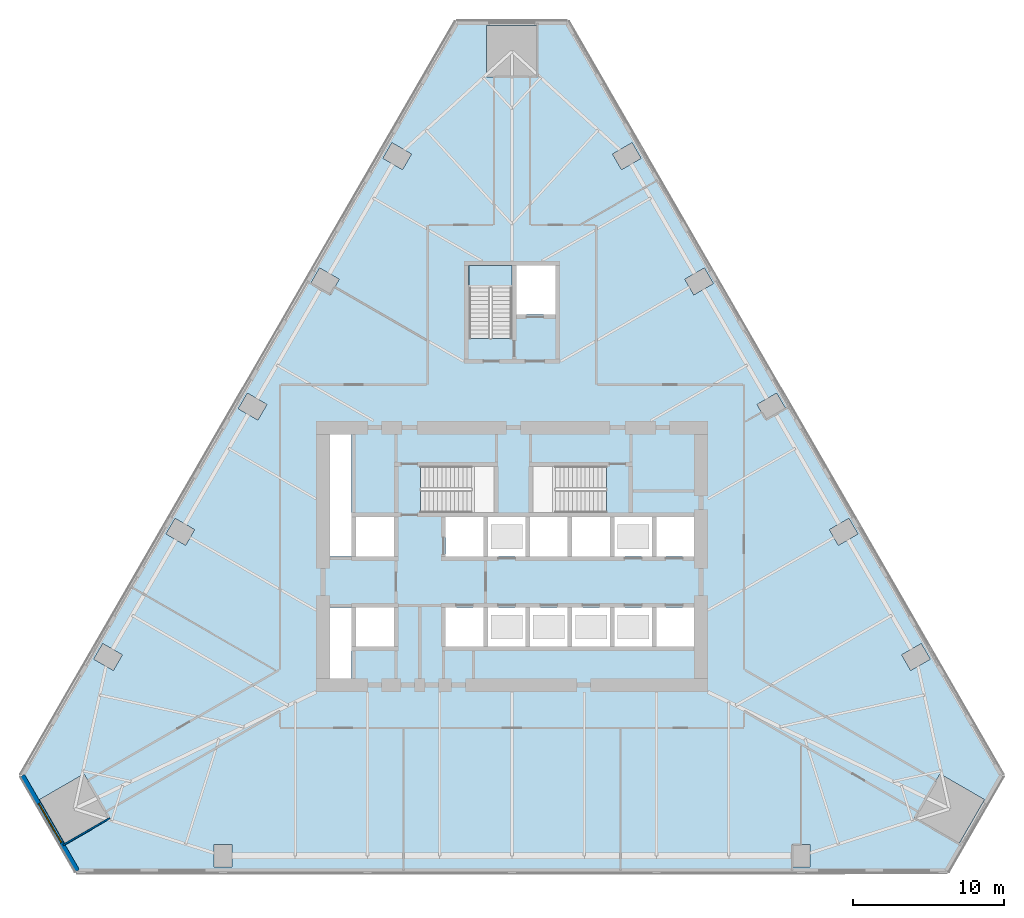
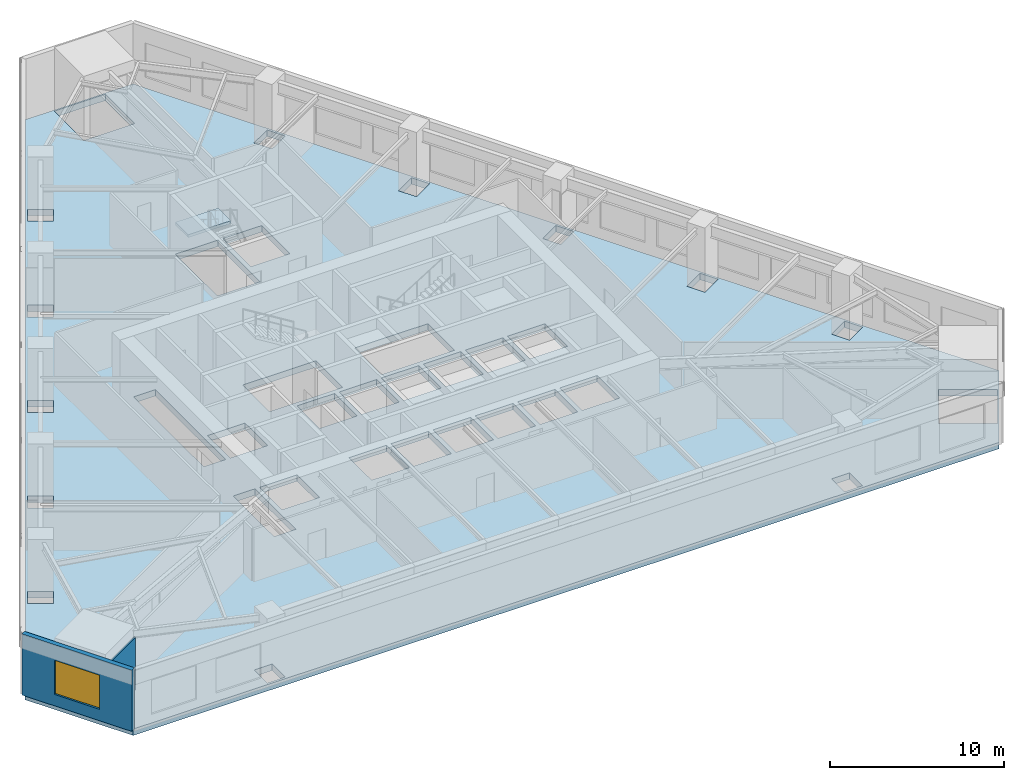
# One storey, part 2 of 14: 2 slabs, 2 walls, 1 window, 1 opening, 1 element without a shape of its own.
"""IFC4 building model written with IfcOpenShell, lengths in metres."""

from ifc_helpers import new_model, si_unit, direction, frame, frame_2d, origin, place, context, subcontext, project, spatial, polyline, rectangle, outline, extrude, material, layer, layer_set, type_object, element, fill, aggregate, save


model = new_model("IFC4")

# Units and contexts
model_context = context("Model", 3, precision=1e-05, world=origin(), true_north=direction((0.0, 1.0)))
body_context = subcontext(model_context, "Body", "Model", "MODEL_VIEW")
ifc_project = project(units=[si_unit("LENGTHUNIT", "METRE"), si_unit("AREAUNIT", "SQUARE_METRE"), si_unit("VOLUMEUNIT", "CUBIC_METRE"), si_unit("PLANEANGLEUNIT", "RADIAN"), si_unit("MASSUNIT", "GRAM", prefix="KILO")], contexts=[model_context])

# Site, building, storey
site_placement = place(None, origin())
site = spatial("IfcSite", under=ifc_project, at=site_placement, CompositionType="ELEMENT")
building_placement = place(site_placement, origin())
building = spatial("IfcBuilding", under=site, at=building_placement, Name="Firuza Gate Tower and Library", CompositionType="ELEMENT")
storey_placement = place(building_placement, frame((0.0, 0.0, 35.5)))
storey = spatial("IfcBuildingStorey", under=building, at=storey_placement, Name="L07", CompositionType="ELEMENT", Elevation=35.5)

# Slab
ifc_material_1 = material(Name="Concrete C40/50", Category="concrete")
ifc_layer_1 = layer(ifc_material_1, 0.449951171875)
ifc_layer_set_1 = layer_set([ifc_layer_1], Name="Composite floor slab 450 C40/50")
slab_type_1 = type_object("IfcSlabType", Name="Composite floor slab 450 C40/50", PredefinedType="FLOOR", material=ifc_layer_set_1)
slab_1_placement = place(storey_placement, frame((0.0, 0.0, -0.449951171875)))
element("IfcSlab", 1, at=slab_1_placement, inside=storey, type_object=slab_type_1, Name="Floor slab L07", PredefinedType="FLOOR", context=body_context, shape_type="SweptSolid", body=[
    extrude(outline(polyline([(42.60009765625, 60.45068359375), (46.199951171875, 54.21533203125), (103.800048828125, 54.21533203125), (107.39990234375, 60.45068359375), (78.60009765625, 110.333740234375), (71.39990234375, 110.333740234375), (42.60009765625, 60.45068359375)]), holes=[polyline([(55.199951171875, 54.365478515625), (55.199951171875, 55.865478515625), (56.39990234375, 55.865478515625), (56.39990234375, 54.365478515625), (55.199951171875, 54.365478515625)]), polyline([(43.63671875, 58.855224609375), (46.5810546875, 60.555419921875), (48.281005859375, 57.61083984375), (45.336669921875, 55.910888671875), (43.63671875, 58.855224609375)]), polyline([(47.829833984375, 69.209228515625), (49.12890625, 68.459228515625), (48.529052734375, 67.419921875), (47.22998046875, 68.169921875), (47.829833984375, 69.209228515625)]), polyline([(64.35009765625, 66.89990234375), (62.89990234375, 66.89990234375), (62.89990234375, 71.60009765625), (64.35009765625, 71.60009765625), (64.35009765625, 66.89990234375)]), polyline([(75.89990234375, 69.0), (73.39990234375, 69.0), (73.39990234375, 71.60009765625), (75.89990234375, 71.60009765625), (75.89990234375, 69.0)]), polyline([(73.10009765625, 69.0), (70.60009765625, 69.0), (70.60009765625, 71.60009765625), (73.10009765625, 71.60009765625), (73.10009765625, 69.0)]), polyline([(67.14990234375, 69.0), (64.64990234375, 69.0), (64.64990234375, 71.60009765625), (67.14990234375, 71.60009765625), (67.14990234375, 69.0)]), polyline([(67.14990234375, 75.0), (64.64990234375, 75.0), (64.64990234375, 77.60009765625), (67.14990234375, 77.60009765625), (67.14990234375, 75.0)]), polyline([(75.89990234375, 75.0), (73.39990234375, 75.0), (73.39990234375, 77.60009765625), (75.89990234375, 77.60009765625), (75.89990234375, 75.0)]), polyline([(73.10009765625, 75.0), (70.60009765625, 75.0), (70.60009765625, 77.60009765625), (73.10009765625, 77.60009765625), (73.10009765625, 75.0)]), polyline([(52.6298828125, 77.523193359375), (53.928955078125, 76.773193359375), (53.328857421875, 75.73388671875), (52.02978515625, 76.48388671875), (52.6298828125, 77.523193359375)]), polyline([(64.35009765625, 75.0), (62.89990234375, 75.0), (62.89990234375, 83.10009765625), (64.35009765625, 83.10009765625), (64.35009765625, 75.0)]), polyline([(73.81005859375, 77.89990234375), (68.9404296875, 77.89990234375), (68.9404296875, 80.97998046875), (73.81005859375, 80.97998046875), (73.81005859375, 77.89990234375)]), polyline([(57.429931640625, 85.8369140625), (58.72900390625, 85.0869140625), (58.12890625, 84.047607421875), (56.829833984375, 84.797607421875), (57.429931640625, 85.8369140625)]), polyline([(72.159912109375, 89.470458984375), (72.159912109375, 94.300048828125), (75.0, 94.300048828125), (75.0, 89.470458984375), (72.159912109375, 89.470458984375)]), polyline([(63.529052734375, 93.40087890625), (62.928955078125, 92.361572265625), (61.6298828125, 93.111572265625), (62.22998046875, 94.15087890625), (63.529052734375, 93.40087890625)]), polyline([(68.328857421875, 101.714599609375), (67.72900390625, 100.67529296875), (66.429931640625, 101.42529296875), (67.02978515625, 102.464599609375), (68.328857421875, 101.714599609375)]), polyline([(76.699951171875, 110.23388671875), (76.699951171875, 106.833740234375), (73.300048828125, 106.833740234375), (73.300048828125, 110.23388671875), (76.699951171875, 110.23388671875)]), polyline([(93.60009765625, 54.365478515625), (93.60009765625, 55.865478515625), (94.800048828125, 55.865478515625), (94.800048828125, 54.365478515625), (93.60009765625, 54.365478515625)]), polyline([(104.663330078125, 55.910888671875), (101.718994140625, 57.61083984375), (103.4189453125, 60.555419921875), (106.36328125, 58.855224609375), (104.663330078125, 55.910888671875)]), polyline([(102.77001953125, 68.169921875), (101.470947265625, 67.419921875), (100.87109375, 68.459228515625), (102.170166015625, 69.209228515625), (102.77001953125, 68.169921875)]), polyline([(78.699951171875, 69.0), (76.199951171875, 69.0), (76.199951171875, 71.60009765625), (78.699951171875, 71.60009765625), (78.699951171875, 69.0)]), polyline([(87.10009765625, 69.0), (84.60009765625, 69.0), (84.60009765625, 71.60009765625), (87.10009765625, 71.60009765625), (87.10009765625, 69.0)]), polyline([(84.300048828125, 69.0), (81.800048828125, 69.0), (81.800048828125, 71.60009765625), (84.300048828125, 71.60009765625), (84.300048828125, 69.0)]), polyline([(79.0, 69.0), (79.0, 71.60009765625), (81.5, 71.60009765625), (81.5, 69.0), (79.0, 69.0)]), polyline([(81.800048828125, 75.0), (81.800048828125, 77.60009765625), (84.300048828125, 77.60009765625), (84.300048828125, 75.0), (81.800048828125, 75.0)]), polyline([(81.5, 75.0), (79.0, 75.0), (79.0, 77.60009765625), (81.5, 77.60009765625), (81.5, 75.0)]), polyline([(87.10009765625, 75.0), (84.60009765625, 75.0), (84.60009765625, 77.60009765625), (87.10009765625, 77.60009765625), (87.10009765625, 75.0)]), polyline([(78.699951171875, 75.0), (76.199951171875, 75.0), (76.199951171875, 77.60009765625), (78.699951171875, 77.60009765625), (78.699951171875, 75.0)]), polyline([(97.97021484375, 76.48388671875), (96.671142578125, 75.73388671875), (96.071044921875, 76.773193359375), (97.3701171875, 77.523193359375), (97.97021484375, 76.48388671875)]), polyline([(81.259521484375, 77.89990234375), (76.389892578125, 77.89990234375), (76.389892578125, 80.97998046875), (81.259521484375, 80.97998046875), (81.259521484375, 77.89990234375)]), polyline([(93.170166015625, 84.797607421875), (91.87109375, 84.047607421875), (91.27099609375, 85.0869140625), (92.570068359375, 85.8369140625), (93.170166015625, 84.797607421875)]), polyline([(77.89990234375, 91.050048828125), (75.300048828125, 91.050048828125), (75.300048828125, 94.300048828125), (77.89990234375, 94.300048828125), (77.89990234375, 91.050048828125)]), polyline([(87.071044921875, 92.361572265625), (86.470947265625, 93.40087890625), (87.77001953125, 94.15087890625), (88.3701171875, 93.111572265625), (87.071044921875, 92.361572265625)]), polyline([(82.27099609375, 100.67529296875), (81.671142578125, 101.714599609375), (82.97021484375, 102.464599609375), (83.570068359375, 101.42529296875), (82.27099609375, 100.67529296875)])]), origin(), (0.0, 0.0, 1.0), 0.449951171875),
])

# Stair, slab
ifc_material_2 = material(Name="Concrete C35/45", Category="concrete")
stair_type = type_object("IfcStairType", Name="Exit stair ST10", PredefinedType="HALF_TURN_STAIR", material=ifc_material_2)
stair_placement = place(storey_placement, origin())
stair = element("IfcStair", 2, at=stair_placement, inside=storey, type_object=stair_type, Name="L07 Stair ST3", PredefinedType="HALF_TURN_STAIR")
ifc_material_3 = material(Name="Concrete C35/45", Category="concrete")
ifc_layer_2 = layer(ifc_material_3, 0.199951171875)
ifc_layer_set_2 = layer_set([ifc_layer_2], Name="Stair landing 200")
slab_type_2 = type_object("IfcSlabType", Name="Stair landing 200", PredefinedType="LANDING", material=ifc_layer_set_2)
slab_2_placement = place(storey_placement, frame((0.0, 0.0, 2.050048828125)))
slab_2 = element("IfcSlab", 3, at=slab_2_placement, type_object=slab_type_2, Name="ST3 landing 1", PredefinedType="LANDING", context=body_context, shape_type="SweptSolid", body=[
    extrude(outline(polyline([(75.0, 92.830078125), (75.0, 94.300048828125), (72.159912109375, 94.300048828125), (72.159912109375, 92.830078125), (75.0, 92.830078125)])), origin(), (0.0, 0.0, 1.0), 0.199951171875),
])
aggregate(stair, [slab_2])

# Wall
ifc_material_4 = material(Name="Gypsum board partition")
ifc_layer_3 = layer(ifc_material_4, 0.10009765625)
ifc_layer_set_3 = layer_set([ifc_layer_3], Name="Partition 100 gypsum board on steel studs")
wall_type_1 = type_object("IfcWallType", Name="Partition 100 gypsum board on steel studs", PredefinedType="PARTITIONING", material=ifc_layer_set_3)
wall_1_placement = place(storey_placement, frame((45.197998046875, 55.830810546875, 0.0), z_axis=(0.0, 0.0, 1.0), x_axis=(0.866014251095, 0.500019316528, 0.0)))
element("IfcWall", 4, at=wall_1_placement, inside=storey, type_object=wall_type_1, Name="f:L07:w007", PredefinedType="PARTITIONING", context=body_context, shape_type="SweptSolid", body=[
    extrude(rectangle(XDim=3.559326171875, YDim=0.10009765625, at=frame_2d((1.77978515625, 0.0))), origin(), (0.0, 0.0, 1.0), 3.699951171875),
])

# Wall, opening, window
ifc_material_5 = material(Name="Concrete C40/50", Category="concrete")
ifc_layer_4 = layer(ifc_material_5, 0.300048828125)
ifc_layer_set_4 = layer_set([ifc_layer_4], Name="Plant louvre wall 300")
wall_type_2 = type_object("IfcWallType", Name="Plant louvre wall 300", PredefinedType="SOLIDWALL", material=ifc_layer_set_4)
wall_2_placement = place(storey_placement, frame((42.49609375, 60.45068359375, 0.0), z_axis=(0.0, 0.0, 1.0), x_axis=(0.500000231294, -0.866025270247, 0.0)))
wall_2 = element("IfcWall", 5, at=wall_2_placement, inside=storey, type_object=wall_type_2, Name="Plant louvre wall 6", PredefinedType="SOLIDWALL", context=body_context, shape_type="SweptSolid", body=[
    extrude(rectangle(XDim=7.3037109375, YDim=0.300048828125, at=frame_2d((3.65185546875, 0.0))), origin(), (0.0, 0.0, 1.0), 4.300048828125),
])
opening_placement = place(wall_2_placement, frame((2.15185546875, 0.0, 0.800048828125)))
opening = element("IfcOpeningElement", 6, at=opening_placement, cuts=wall_2, Name="Opening WD3-037", PredefinedType="OPENING", context=body_context, shape_type="SweptSolid", body=[
    extrude(rectangle(XDim=3.0, YDim=2.39990234375, at=frame_2d((1.5, 1.199951171875))), frame((0.0, 0.16015625, 0.0), z_axis=(0.0, -1.0, 0.0), x_axis=(1.0, 0.0, 0.0)), (0.0, 0.0, 1.0), 0.320068359375),
])
ifc_material_6 = material(Name="Aluminium 6063-T6", Category="aluminium")
window_type = type_object("IfcWindowType", Name="Plant louvre 3000x2400", PartitioningType="SINGLE_PANEL", PredefinedType="WINDOW", material=ifc_material_6)
window_placement = place(opening_placement, origin())
window = element("IfcWindow", 7, at=window_placement, inside=storey, type_object=window_type, Name="e:pwall:L07:5/L0", OverallHeight=2.39990234375, OverallWidth=3.0, PartitioningType="SINGLE_PANEL", PredefinedType="WINDOW", context=body_context, shape_type="SweptSolid", body=[
    extrude(rectangle(XDim=3.0, YDim=2.39990234375, at=frame_2d((1.5, 1.199951171875))), frame((0.0, 0.030029296875, 0.0), z_axis=(0.0, -1.0, 0.0), x_axis=(1.0, 0.0, 0.0)), (0.0, 0.0, 1.0), 0.06005859375),
])
fill(opening, window)

save(model, "model.ifc")
